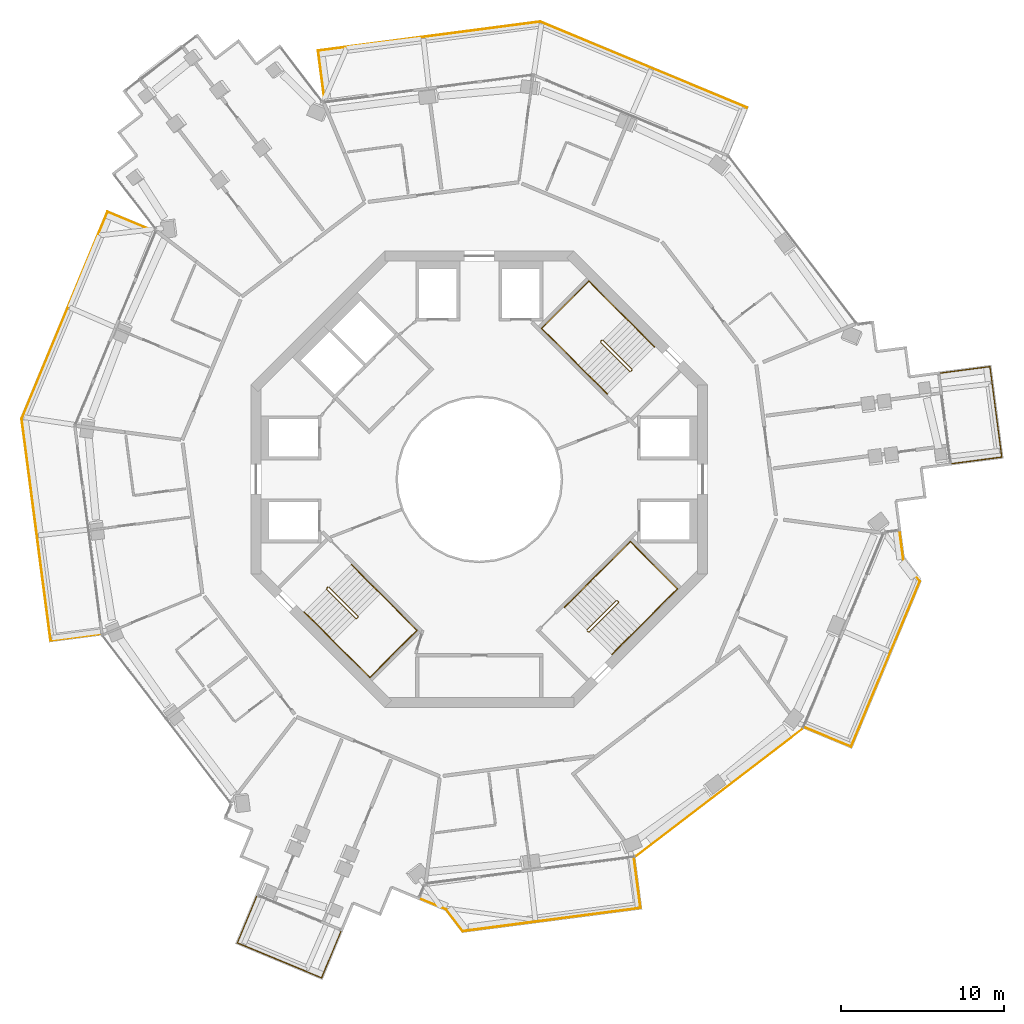
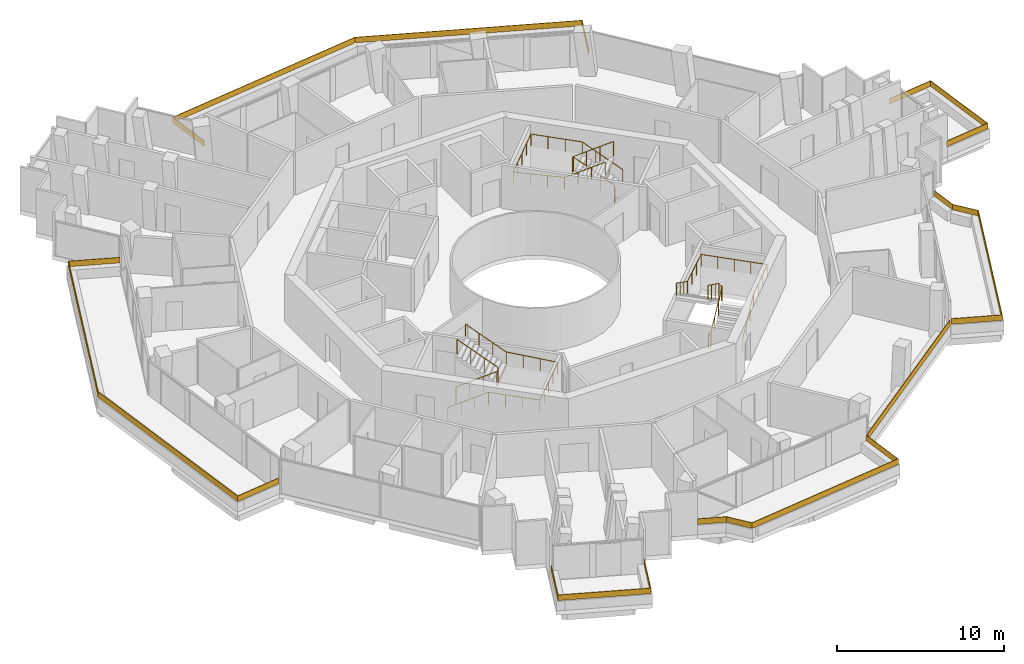
# One storey, part 25 of 25: 13 railings.
"""IFC4 building model written with IfcOpenShell, lengths in metres."""

import ifcopenshell
import ifcopenshell.guid

model = None  # the IFC model being written
_history = None  # IfcOwnerHistory: only IFC2X3 demands one
_inside = {}  # id of a spatial element -> (the spatial element, [elements in it])
_under = {}  # id of a project, library or spatial element -> (it, [spatial elements below it])
_declared = {}  # id of a project -> (the project, [libraries it declares])
_typed = {}  # id of a type object -> (the type object, [elements of that type])
_made_of = {}  # id of a material, layer set ... -> (it, [elements and type objects made of it])


def new_model(schema):
    """Start an empty IFC model of exactly this schema.

    Asked for "IFC4X3", IfcOpenShell would pick the latest addendum, in which some entities
    have other attributes; the version numbers below select the first issue.
    IFC2X3 requires an IfcOwnerHistory on every rooted entity: one is made here for all.
    """
    global model, _history
    if schema == "IFC4X3":
        model = ifcopenshell.file(schema_version=(4, 3, 0, 0))
    else:
        model = ifcopenshell.file(schema=schema)
    _inside.clear()
    _under.clear()
    _declared.clear()
    _typed.clear()
    _made_of.clear()
    _history = None
    if model.schema == "IFC2X3":
        org = make("IfcOrganization", Name="unknown")
        user = make(
            "IfcPersonAndOrganization",
            ThePerson=make("IfcPerson", FamilyName="unknown"),
            TheOrganization=org,
        )
        app = make(
            "IfcApplication",
            ApplicationDeveloper=org,
            Version="unknown",
            ApplicationFullName="unknown",
            ApplicationIdentifier="unknown",
        )
        _history = make(
            "IfcOwnerHistory",
            OwningUser=user,
            OwningApplication=app,
            ChangeAction="ADDED",
            CreationDate=0,
        )
    return model


def make(cls, **values):
    """One entity of the class cls with the attributes given. An attribute that is None is left unset."""
    return model.create_entity(
        cls, **{name: value for name, value in values.items() if value is not None}
    )


def rooted(cls, **values):
    """An entity with a GlobalId (a new one), such as an element, a storey or a relation."""
    return make(cls, GlobalId=ifcopenshell.guid.new(), OwnerHistory=_history, **values)


def si_unit(unit_type, name, prefix=None):
    """IfcSIUnit, for example si_unit("LENGTHUNIT", "METRE", prefix="MILLI")."""
    return make("IfcSIUnit", UnitType=unit_type, Prefix=prefix, Name=name)


def assignment(units):
    """IfcUnitAssignment: the units of a project."""
    return None if units is None else make("IfcUnitAssignment", Units=units)


def point(xyz):
    """IfcCartesianPoint."""
    return None if xyz is None else make("IfcCartesianPoint", Coordinates=xyz)


def direction(xyz):
    """IfcDirection."""
    return None if xyz is None else make("IfcDirection", DirectionRatios=xyz)


def frame(location, z_axis=None, x_axis=None):
    """IfcAxis2Placement3D, a coordinate frame: its origin and axes. An axis left out is left unset."""
    return make(
        "IfcAxis2Placement3D",
        Location=point(location),
        Axis=direction(z_axis),
        RefDirection=direction(x_axis),
    )


def frame_2d(location, x_axis=None):
    """IfcAxis2Placement2D, a coordinate frame in the plane: its origin and x axis."""
    return make(
        "IfcAxis2Placement2D", Location=point(location), RefDirection=direction(x_axis)
    )


def origin():
    """The frame at (0, 0, 0) with its axes left unset."""
    return frame((0.0, 0.0, 0.0))


def origin_2d():
    """The frame at (0, 0) in the plane with its x axis left unset."""
    return frame_2d((0.0, 0.0))


def place(relative_to, where):
    """IfcLocalPlacement: puts the frame where relative to a parent placement (None: the world)."""
    return make(
        "IfcLocalPlacement", PlacementRelTo=relative_to, RelativePlacement=where
    )


def context(
    kind, dimensions, precision=None, world=None, true_north=None, identifier=None
):
    """IfcGeometricRepresentationContext, for example the 3D "Model" context."""
    return make(
        "IfcGeometricRepresentationContext",
        ContextIdentifier=identifier,
        ContextType=kind,
        CoordinateSpaceDimension=dimensions,
        Precision=precision,
        WorldCoordinateSystem=world,
        TrueNorth=true_north,
    )


def subcontext(parent, identifier, kind, view, scale=None):
    """IfcGeometricRepresentationSubContext, for example "Body" below "Model"."""
    return make(
        "IfcGeometricRepresentationSubContext",
        ContextIdentifier=identifier,
        ContextType=kind,
        ParentContext=parent,
        TargetScale=scale,
        TargetView=view,
    )


def project(units=None, contexts=None):
    """IfcProject with its units and contexts."""
    return rooted(
        "IfcProject",
        Name="project",
        RepresentationContexts=contexts,
        UnitsInContext=assignment(units),
    )


def spatial(cls, under=None, at=None, **own):
    """A site, building, storey or space (cls), placed at a placement, below another one or the project."""
    s = rooted(cls, ObjectPlacement=at, **own)
    if under is not None:
        _under.setdefault(under.id(), (under, []))[1].append(s)
    return s


def polyline(points):
    """IfcPolyline through the points."""
    return make("IfcPolyline", Points=[point(p) for p in points])


def profile(cls, at=None, kind="AREA", **sizes):
    """A parametric profile (cls). Its sizes go by their IFC names, for example OverallWidth=200.0."""
    return make(cls, ProfileType=kind, Position=at, **sizes)


def rectangle(**sizes):
    """IfcRectangleProfileDef."""
    return profile("IfcRectangleProfileDef", **sizes)


def circle(**sizes):
    """IfcCircleProfileDef."""
    return profile("IfcCircleProfileDef", **sizes)


def outline(outer, holes=None, kind="AREA"):
    """IfcArbitraryClosedProfileDef: a profile drawn as a closed curve; with holes, ...WithVoids."""
    if holes is None:
        return make("IfcArbitraryClosedProfileDef", ProfileType=kind, OuterCurve=outer)
    return make(
        "IfcArbitraryProfileDefWithVoids",
        ProfileType=kind,
        OuterCurve=outer,
        InnerCurves=holes,
    )


def extrude(swept, where, along, depth):
    """IfcExtrudedAreaSolid: the profile swept, set in the frame where, extruded along a direction by depth."""
    return make(
        "IfcExtrudedAreaSolid",
        SweptArea=swept,
        Position=where,
        ExtrudedDirection=direction(along),
        Depth=depth,
    )


def shape(context_of_items, identifier, shape_type, items):
    """IfcShapeRepresentation: the items that make up one representation, for example the "Body"."""
    return make(
        "IfcShapeRepresentation",
        ContextOfItems=context_of_items,
        RepresentationIdentifier=identifier,
        RepresentationType=shape_type,
        Items=items,
    )


def material(Name=None, Category=None):
    """IfcMaterial."""
    return make("IfcMaterial", Name=Name, Category=Category)


def layer(
    of_material, thickness, ventilated=None, Name=None, Category=None, Priority=None
):
    """IfcMaterialLayer: one layer of a wall or slab, of a material (None: an air gap)."""
    return make(
        "IfcMaterialLayer",
        Material=of_material,
        LayerThickness=thickness,
        IsVentilated=ventilated,
        Name=Name,
        Category=Category,
        Priority=Priority,
    )


def layer_set(layers, Name=None):
    """IfcMaterialLayerSet."""
    return make("IfcMaterialLayerSet", MaterialLayers=layers, LayerSetName=Name)


def made_of(thing, what):
    """Note that an element or type object is made of a material, layer set ...; save() writes the relation."""
    if what is not None:
        _made_of.setdefault(what.id(), (what, []))[1].append(thing)
    return thing


def type_object(cls, material=None, **own):
    """A type object (cls), such as IfcWallType, which elements share."""
    return made_of(rooted(cls, **own), material)


def element(
    cls,
    number,
    at=None,
    inside=None,
    cuts=None,
    type_object=None,
    material=None,
    context=None,
    identifier="Body",
    shape_type=None,
    held_by="IfcProductDefinitionShape",
    body=None,
    shapes=None,
    **own,
):
    """One element of the class cls, such as IfcWall. Its Tag is "e" and its number.

    at: its placement. inside: the storey or other place that contains it. cuts: it is an
    opening in that element (IfcRelVoidsElement). A single representation is given by context,
    identifier, shape_type and body (its items); several are given by shapes. held_by: the class
    of the entity that holds the representations. save() writes the other relations.
    """
    e = rooted(cls, Tag="e%d" % number, ObjectPlacement=at, **own)
    if body is not None:
        shapes = [shape(context, identifier, shape_type, body)]
    if shapes is not None:
        e.Representation = make(held_by, Representations=shapes)
    if inside is not None:
        _inside.setdefault(inside.id(), (inside, []))[1].append(e)
    if cuts is not None:
        rooted(
            "IfcRelVoidsElement", RelatingBuildingElement=cuts, RelatedOpeningElement=e
        )
    if type_object is not None:
        _typed.setdefault(type_object.id(), (type_object, []))[1].append(e)
    return made_of(e, material)


def aggregate(whole, parts):
    """IfcRelAggregates: a whole, such as a stair, and the parts it consists of."""
    return rooted("IfcRelAggregates", RelatingObject=whole, RelatedObjects=parts)


def save(model, path):
    """Write the relations noted so far, then the file.

    IfcRelAggregates (storeys below a building ...), IfcRelContainedInSpatialStructure (elements
    in a storey), IfcRelDefinesByType, IfcRelAssociatesMaterial and IfcRelDeclares: one each for
    every whole, place, type object, material and project.
    """
    for whole, parts in _under.values():
        aggregate(whole, parts)
    for where, things in _inside.values():
        rooted(
            "IfcRelContainedInSpatialStructure",
            RelatedElements=things,
            RelatingStructure=where,
        )
    for kind, things in _typed.values():
        rooted("IfcRelDefinesByType", RelatedObjects=things, RelatingType=kind)
    for what, things in _made_of.values():
        rooted("IfcRelAssociatesMaterial", RelatedObjects=things, RelatingMaterial=what)
    for by, libraries in _declared.values():
        rooted("IfcRelDeclares", RelatingContext=by, RelatedDefinitions=libraries)
    model.write(path)


model = new_model("IFC4")

# Units and contexts
model_context = context("Model", 3, precision=1e-05, world=origin(), true_north=direction((0.0, 1.0)))
body_context = subcontext(model_context, "Body", "Model", "MODEL_VIEW")
ifc_project = project(units=[si_unit("LENGTHUNIT", "METRE"), si_unit("AREAUNIT", "SQUARE_METRE"), si_unit("VOLUMEUNIT", "CUBIC_METRE"), si_unit("PLANEANGLEUNIT", "RADIAN"), si_unit("MASSUNIT", "GRAM", prefix="KILO")], contexts=[model_context])

# Site, building, storey
site_placement = place(None, origin())
site = spatial("IfcSite", under=ifc_project, at=site_placement, CompositionType="ELEMENT")
building_placement = place(site_placement, origin())
building = spatial("IfcBuilding", under=site, at=building_placement, Name="Verdalira Terraces Hotel", CompositionType="ELEMENT")
storey_placement = place(building_placement, frame((0.0, 0.0, 187.0)))
storey = spatial("IfcBuildingStorey", under=building, at=storey_placement, Name="L45", CompositionType="ELEMENT", Elevation=187.0)

# Railings
ifc_material_1 = material(Name="Laminated glass", Category="glass")
ifc_layer = layer(ifc_material_1, 0.0400390625)
ifc_layer_set = layer_set([ifc_layer], Name="Balcony glass guard 400")
railing_type_1 = type_object("IfcRailingType", Name="Balcony glass guard 400", PredefinedType="GUARDRAIL", material=ifc_layer_set)
railing_1_placement = place(storey_placement, frame((0.0, 0.0, 0.699951)))
element("IfcRailing", 1, at=railing_1_placement, inside=storey, type_object=railing_type_1, Name="Balcony glass guard", PredefinedType="GUARDRAIL", context=body_context, shape_type="SweptSolid", body=[
    extrude(outline(polyline([(-22.798584, 16.380127), (-28.056641, 3.723633), (-26.281982, -9.866211), (-23.229004, -9.467529), (-23.223877, -9.507324), (-26.316406, -9.911133), (-28.097656, 3.729004), (-22.820312, 16.432373), (-19.939941, 15.23584), (-19.955322, 15.198975), (-22.798584, 16.380127)])), origin(), (0.0, 0.0, 1.0), 0.400146),
])
railing_2_placement = place(storey_placement, frame((0.0, 0.0, 0.699951)))
element("IfcRailing", 2, at=railing_2_placement, inside=storey, type_object=railing_type_1, Name="Balcony glass guard", PredefinedType="GUARDRAIL", context=body_context, shape_type="SweptSolid", body=[
    extrude(outline(polyline([(-14.820312, -28.427734), (-9.685791, -30.560791), (-8.504639, -27.717529), (-8.467773, -27.73291), (-9.664307, -30.613281), (-14.872803, -28.449463), (-13.676025, -25.569092), (-13.63916, -25.584473), (-14.820312, -28.427734)])), origin(), (0.0, 0.0, 1.0), 0.400146),
])
railing_3_placement = place(storey_placement, frame((0.0, 0.0, 0.699951)))
element("IfcRailing", 3, at=railing_3_placement, inside=storey, type_object=railing_type_1, Name="Balcony glass guard", PredefinedType="GUARDRAIL", context=body_context, shape_type="SweptSolid", body=[
    extrude(outline(polyline([(-2.012451, -26.385254), (-1.004639, -27.70166), (9.866211, -26.281982), (9.467529, -23.229004), (9.507324, -23.223877), (9.911133, -26.316406), (-1.022461, -27.744385), (-2.037842, -26.418213), (-3.65625, -25.74585), (-3.640869, -25.70874), (-2.012451, -26.385254)])), origin(), (0.0, 0.0, 1.0), 0.400146),
])
railing_4_placement = place(storey_placement, frame((0.0, 0.0, 0.699951)))
element("IfcRailing", 4, at=railing_4_placement, inside=storey, type_object=railing_type_1, Name="Balcony glass guard", PredefinedType="GUARDRAIL", context=body_context, shape_type="SweptSolid", body=[
    extrude(outline(polyline([(22.798584, -16.380127), (27.004639, -6.255859), (25.996826, -4.939453), (25.768555, -3.191162), (25.808105, -3.186035), (26.035156, -4.923828), (27.050537, -6.25), (22.820312, -16.432373), (19.939941, -15.23584), (19.955322, -15.198975), (22.798584, -16.380127)])), origin(), (0.0, 0.0, 1.0), 0.400146),
])
railing_5_placement = place(storey_placement, frame((0.0, 0.0, 0.699951)))
element("IfcRailing", 5, at=railing_5_placement, inside=storey, type_object=railing_type_1, Name="Balcony glass guard", PredefinedType="GUARDRAIL", context=body_context, shape_type="SweptSolid", body=[
    extrude(outline(polyline([(32.029297, 1.37915), (31.30957, 6.892334), (28.256348, 6.493408), (28.251221, 6.533203), (31.343994, 6.937012), (32.074219, 1.344482), (28.981445, 0.940674), (28.976318, 0.980225), (32.029297, 1.37915)])), origin(), (0.0, 0.0, 1.0), 0.400146),
])
railing_6_placement = place(storey_placement, frame((0.0, 0.0, 0.699951)))
element("IfcRailing", 6, at=railing_6_placement, inside=storey, type_object=railing_type_1, Name="Balcony glass guard", PredefinedType="GUARDRAIL", context=body_context, shape_type="SweptSolid", body=[
    extrude(outline(polyline([(16.380127, 22.798584), (3.723633, 28.056641), (-9.866211, 26.281982), (-9.467529, 23.229004), (-9.507324, 23.223877), (-9.911133, 26.316406), (3.729004, 28.097656), (16.432373, 22.820312), (15.23584, 19.939941), (15.198975, 19.955322), (16.380127, 22.798584)])), origin(), (0.0, 0.0, 1.0), 0.400146),
])
railing_7_placement = place(storey_placement, frame((14.717041, -19.221191, 0.699951), z_axis=(0.0, 0.0, 1.0), x_axis=(0.793990399, 0.607930298, 0.0)))
element("IfcRailing", 7, at=railing_7_placement, inside=storey, type_object=railing_type_1, Name="Loggia glass guard", PredefinedType="GUARDRAIL", context=body_context, shape_type="SweptSolid", body=[
    extrude(rectangle(XDim=12.840088, YDim=0.040039, at=origin_2d()), origin(), (0.0, 0.0, 1.0), 0.399902),
])
ifc_material_2 = material(Name="Stainless steel", Category="steel")
railing_type_2 = type_object("IfcRailingType", Name="Stair guard 1100", PredefinedType="GUARDRAIL", material=ifc_material_2)
railing_8_placement = place(storey_placement, frame((9.369141, 6.682129, 0.0)))
element("IfcRailing", 8, at=railing_8_placement, inside=storey, type_object=railing_type_2, Name="L45 ST1 stair guard 1", PredefinedType="GUARDRAIL", context=body_context, shape_type="SweptSolid", body=[
    extrude(circle(Radius=0.023926, at=origin_2d()), frame((0.0, 0.0, 1.076172), z_axis=(-0.707106781, -0.707106781, 0.0), x_axis=(0.707106781, -0.707106781, 0.0)), (0.0, 0.0, 1.0), 0.100098),
    extrude(circle(Radius=0.023926, at=origin_2d()), frame((-0.070801, -0.070801, 1.076172), z_axis=(0.299976798, 0.599953596, 0.741666773), x_axis=(-0.894427191, 0.447213596, 0.0)), (0.0, 0.0, 1.0), 0.236084),
    extrude(circle(Radius=0.023926, at=origin_2d()), frame((0.0, 0.070801, 1.250977), z_axis=(-0.599667044, 0.599584886, 0.529997548), x_axis=(-0.707058338, -0.707155221, 0.0)), (0.0, 0.0, 1.0), 2.97168),
    extrude(circle(Radius=0.023926, at=origin_2d()), frame((-1.781982, 1.852539, 2.826172), z_axis=(-1.0, 0.0, 0.0), x_axis=(0.0, -1.0, 0.0)), (0.0, 0.0, 1.0), 0.070557),
    extrude(circle(Radius=0.023926, at=origin_2d()), frame((-1.852539, 1.852539, 2.826172), z_axis=(-0.70832698, -0.705884473, 0.0), x_axis=(0.705884473, -0.70832698, 0.0)), (0.0, 0.0, 1.0), 0.099854),
    extrude(circle(Radius=0.023926, at=origin_2d()), frame((-1.92334, 1.781982, 2.826172), z_axis=(0.0, -0.374954687, 0.92704314), x_axis=(1.0, 0.0, 0.0)), (0.0, 0.0, 1.0), 0.188721),
    extrude(circle(Radius=0.023926, at=origin_2d()), frame((-1.92334, 1.711182, 3.000977), z_axis=(0.599637504, -0.599637504, 0.52997144), x_axis=(0.707106781, 0.707106781, 0.0)), (0.0, 0.0, 1.0), 2.97168),
    extrude(circle(Radius=0.020996, at=origin_2d()), origin(), (0.0, 0.0, 1.0), 1.052002),
    extrude(circle(Radius=0.020996, at=origin_2d()), frame((-0.070801, -0.070801, 0.0)), (0.0, 0.0, 1.0), 1.052002),
    extrude(circle(Radius=0.020996, at=origin_2d()), frame((0.0, 0.070801, 0.175049)), (0.0, 0.0, 1.0), 1.052002),
    extrude(circle(Radius=0.020996, at=origin_2d()), frame((-0.593994, 0.664795, 0.699951)), (0.0, 0.0, 1.0), 1.052002),
    extrude(circle(Radius=0.020996, at=origin_2d()), frame((-1.187988, 1.258545, 1.225098)), (0.0, 0.0, 1.0), 1.052002),
    extrude(circle(Radius=0.020996, at=origin_2d()), frame((-1.781982, 1.852539, 1.75)), (0.0, 0.0, 1.0), 1.052002),
    extrude(circle(Radius=0.020996, at=origin_2d()), frame((-1.852539, 1.852539, 1.75)), (0.0, 0.0, 1.0), 1.052002),
    extrude(circle(Radius=0.020996, at=origin_2d()), frame((-1.92334, 1.781982, 1.75)), (0.0, 0.0, 1.0), 1.052002),
    extrude(circle(Radius=0.020996, at=origin_2d()), frame((-1.92334, 1.711182, 1.925049)), (0.0, 0.0, 1.0), 1.052002),
    extrude(circle(Radius=0.020996, at=origin_2d()), frame((-1.329346, 1.117188, 2.449951)), (0.0, 0.0, 1.0), 1.052002),
    extrude(circle(Radius=0.020996, at=origin_2d()), frame((-0.735352, 0.523193, 2.975098)), (0.0, 0.0, 1.0), 1.052002),
    extrude(circle(Radius=0.020996, at=origin_2d()), frame((-0.141357, -0.070801, 3.5)), (0.0, 0.0, 1.0), 1.052002),
])
railing_9_placement = place(storey_placement, frame((-9.369141, -6.682129, 0.0)))
element("IfcRailing", 9, at=railing_9_placement, inside=storey, type_object=railing_type_2, Name="L45 ST2 stair guard 1", PredefinedType="GUARDRAIL", context=body_context, shape_type="SweptSolid", body=[
    extrude(circle(Radius=0.023926, at=origin_2d()), frame((0.0, 0.0, 1.076172), z_axis=(0.707106781, 0.707106781, 0.0), x_axis=(-0.707106781, 0.707106781, 0.0)), (0.0, 0.0, 1.0), 0.100098),
    extrude(circle(Radius=0.023926, at=origin_2d()), frame((0.070801, 0.070801, 1.076172), z_axis=(-0.299976798, -0.599953596, 0.741666773), x_axis=(0.894427191, -0.447213596, 0.0)), (0.0, 0.0, 1.0), 0.236084),
    extrude(circle(Radius=0.023926, at=origin_2d()), frame((0.0, -0.070801, 1.250977), z_axis=(0.599667044, -0.599584886, 0.529997548), x_axis=(0.707058338, 0.707155221, 0.0)), (0.0, 0.0, 1.0), 2.97168),
    extrude(circle(Radius=0.023926, at=origin_2d()), frame((1.781982, -1.852539, 2.826172), z_axis=(1.0, 0.0, 0.0), x_axis=(0.0, 1.0, 0.0)), (0.0, 0.0, 1.0), 0.070557),
    extrude(circle(Radius=0.023926, at=origin_2d()), frame((1.852539, -1.852539, 2.826172), z_axis=(0.70832698, 0.705884473, 0.0), x_axis=(-0.705884473, 0.70832698, 0.0)), (0.0, 0.0, 1.0), 0.099854),
    extrude(circle(Radius=0.023926, at=origin_2d()), frame((1.92334, -1.781982, 2.826172), z_axis=(0.0, 0.374954687, 0.92704314), x_axis=(-1.0, 0.0, 0.0)), (0.0, 0.0, 1.0), 0.188721),
    extrude(circle(Radius=0.023926, at=origin_2d()), frame((1.92334, -1.711182, 3.000977), z_axis=(-0.599637504, 0.599637504, 0.52997144), x_axis=(-0.707106781, -0.707106781, 0.0)), (0.0, 0.0, 1.0), 2.97168),
    extrude(circle(Radius=0.020996, at=origin_2d()), origin(), (0.0, 0.0, 1.0), 1.052002),
    extrude(circle(Radius=0.020996, at=origin_2d()), frame((0.070801, 0.070801, 0.0)), (0.0, 0.0, 1.0), 1.052002),
    extrude(circle(Radius=0.020996, at=origin_2d()), frame((0.0, -0.070801, 0.175049)), (0.0, 0.0, 1.0), 1.052002),
    extrude(circle(Radius=0.020996, at=origin_2d()), frame((0.593994, -0.664795, 0.699951)), (0.0, 0.0, 1.0), 1.052002),
    extrude(circle(Radius=0.020996, at=origin_2d()), frame((1.187988, -1.258545, 1.225098)), (0.0, 0.0, 1.0), 1.052002),
    extrude(circle(Radius=0.020996, at=origin_2d()), frame((1.781982, -1.852539, 1.75)), (0.0, 0.0, 1.0), 1.052002),
    extrude(circle(Radius=0.020996, at=origin_2d()), frame((1.852539, -1.852539, 1.75)), (0.0, 0.0, 1.0), 1.052002),
    extrude(circle(Radius=0.020996, at=origin_2d()), frame((1.92334, -1.781982, 1.75)), (0.0, 0.0, 1.0), 1.052002),
    extrude(circle(Radius=0.020996, at=origin_2d()), frame((1.92334, -1.711182, 1.925049)), (0.0, 0.0, 1.0), 1.052002),
    extrude(circle(Radius=0.020996, at=origin_2d()), frame((1.329346, -1.117188, 2.449951)), (0.0, 0.0, 1.0), 1.052002),
    extrude(circle(Radius=0.020996, at=origin_2d()), frame((0.735352, -0.523193, 2.975098)), (0.0, 0.0, 1.0), 1.052002),
    extrude(circle(Radius=0.020996, at=origin_2d()), frame((0.141357, 0.070801, 3.5)), (0.0, 0.0, 1.0), 1.052002),
])
railing_10_placement = place(storey_placement, frame((6.682129, -9.369141, 0.0)))
element("IfcRailing", 10, at=railing_10_placement, inside=storey, type_object=railing_type_2, Name="L45 ST3 stair guard 1", PredefinedType="GUARDRAIL", context=body_context, shape_type="SweptSolid", body=[
    extrude(circle(Radius=0.023926, at=origin_2d()), frame((0.0, 0.0, 1.076172), z_axis=(-0.707106781, 0.707106781, 0.0), x_axis=(-0.707106781, -0.707106781, 0.0)), (0.0, 0.0, 1.0), 0.100098),
    extrude(circle(Radius=0.023926, at=origin_2d()), frame((-0.070801, 0.070801, 1.076172), z_axis=(0.599953596, -0.299976798, 0.741666773), x_axis=(0.447213596, 0.894427191, 0.0)), (0.0, 0.0, 1.0), 0.236084),
    extrude(circle(Radius=0.023926, at=origin_2d()), frame((0.070801, 0.0, 1.250977), z_axis=(0.599584886, 0.599667044, 0.529997548), x_axis=(-0.707155221, 0.707058338, 0.0)), (0.0, 0.0, 1.0), 2.97168),
    extrude(circle(Radius=0.023926, at=origin_2d()), frame((1.852539, 1.781982, 2.826172), z_axis=(0.0, 1.0, 0.0), x_axis=(-1.0, 0.0, 0.0)), (0.0, 0.0, 1.0), 0.070557),
    extrude(circle(Radius=0.023926, at=origin_2d()), frame((1.852539, 1.852539, 2.826172), z_axis=(-0.705884473, 0.70832698, 0.0), x_axis=(-0.70832698, -0.705884473, 0.0)), (0.0, 0.0, 1.0), 0.099854),
    extrude(circle(Radius=0.023926, at=origin_2d()), frame((1.781982, 1.92334, 2.826172), z_axis=(-0.374954687, 0.0, 0.92704314), x_axis=(0.0, -1.0, 0.0)), (0.0, 0.0, 1.0), 0.188721),
    extrude(circle(Radius=0.023926, at=origin_2d()), frame((1.711182, 1.92334, 3.000977), z_axis=(-0.599637504, -0.599637504, 0.52997144), x_axis=(0.707106781, -0.707106781, 0.0)), (0.0, 0.0, 1.0), 2.97168),
    extrude(circle(Radius=0.020996, at=origin_2d()), origin(), (0.0, 0.0, 1.0), 1.052002),
    extrude(circle(Radius=0.020996, at=origin_2d()), frame((-0.070801, 0.070801, 0.0)), (0.0, 0.0, 1.0), 1.052002),
    extrude(circle(Radius=0.020996, at=origin_2d()), frame((0.070801, 0.0, 0.175049)), (0.0, 0.0, 1.0), 1.052002),
    extrude(circle(Radius=0.020996, at=origin_2d()), frame((0.664795, 0.593994, 0.699951)), (0.0, 0.0, 1.0), 1.052002),
    extrude(circle(Radius=0.020996, at=origin_2d()), frame((1.258545, 1.187988, 1.225098)), (0.0, 0.0, 1.0), 1.052002),
    extrude(circle(Radius=0.020996, at=origin_2d()), frame((1.852539, 1.781982, 1.75)), (0.0, 0.0, 1.0), 1.052002),
    extrude(circle(Radius=0.020996, at=origin_2d()), frame((1.852539, 1.852539, 1.75)), (0.0, 0.0, 1.0), 1.052002),
    extrude(circle(Radius=0.020996, at=origin_2d()), frame((1.781982, 1.92334, 1.75)), (0.0, 0.0, 1.0), 1.052002),
    extrude(circle(Radius=0.020996, at=origin_2d()), frame((1.711182, 1.92334, 1.925049)), (0.0, 0.0, 1.0), 1.052002),
    extrude(circle(Radius=0.020996, at=origin_2d()), frame((1.117188, 1.329346, 2.449951)), (0.0, 0.0, 1.0), 1.052002),
    extrude(circle(Radius=0.020996, at=origin_2d()), frame((0.523193, 0.735352, 2.975098)), (0.0, 0.0, 1.0), 1.052002),
    extrude(circle(Radius=0.020996, at=origin_2d()), frame((-0.070801, 0.141357, 3.5)), (0.0, 0.0, 1.0), 1.052002),
])
ifc_material_3 = material(Name="Stainless steel", Category="steel")
railing_type_3 = type_object("IfcRailingType", Name="Stair handrail 900", PredefinedType="HANDRAIL", material=ifc_material_3)
railing_11_placement = place(storey_placement, frame((10.748047, 8.131836, 0.175049)))
element("IfcRailing", 11, at=railing_11_placement, inside=storey, type_object=railing_type_3, Name="L45 ST1 stair handrail 1", PredefinedType="HANDRAIL", context=body_context, shape_type="SweptSolid", body=[
    extrude(circle(Radius=0.023926, at=origin_2d()), frame((0.0, 0.0, 0.875977), z_axis=(-0.599667044, 0.599584886, 0.529997548), x_axis=(-0.707058338, -0.707155221, 0.0)), (0.0, 0.0, 1.0), 2.97168),
    extrude(circle(Radius=0.023926, at=origin_2d()), frame((-1.781982, 1.781738, 2.450684), z_axis=(-0.707068394, 0.707145166, 0.0), x_axis=(-0.707145166, -0.707068394, 0.0)), (0.0, 0.0, 1.0), 3.180176),
    extrude(circle(Radius=0.023926, at=origin_2d()), frame((-4.030518, 4.030518, 2.450684), z_axis=(-0.707106781, -0.707106781, 0.0), x_axis=(0.707106781, -0.707106781, 0.0)), (0.0, 0.0, 1.0), 4.100098),
    extrude(circle(Radius=0.023926, at=origin_2d()), frame((-6.929688, 1.131348, 2.450684), z_axis=(0.705999616, -0.706076271, 0.054962185), x_axis=(0.707145166, 0.707068394, 0.0)), (0.0, 0.0, 1.0), 3.184814),
    extrude(circle(Radius=0.023926, at=origin_2d()), frame((-4.681152, -1.117432, 2.625977), z_axis=(0.599667044, -0.599584886, 0.529997548), x_axis=(0.707058338, 0.707155221, 0.0)), (0.0, 0.0, 1.0), 2.97168),
    extrude(circle(Radius=0.020996, at=origin_2d()), origin(), (0.0, 0.0, 1.0), 0.851807),
    extrude(circle(Radius=0.020996, at=origin_2d()), frame((-0.593994, 0.593994, 0.524902)), (0.0, 0.0, 1.0), 0.851807),
    extrude(circle(Radius=0.020996, at=origin_2d()), frame((-1.187988, 1.187744, 1.050049)), (0.0, 0.0, 1.0), 0.851807),
    extrude(circle(Radius=0.020996, at=origin_2d()), frame((-1.781982, 1.781738, 1.574951)), (0.0, 0.0, 1.0), 0.851807),
    extrude(circle(Radius=0.020996, at=origin_2d()), frame((-2.531494, 2.53125, 1.574951)), (0.0, 0.0, 1.0), 0.851807),
    extrude(circle(Radius=0.020996, at=origin_2d()), frame((-3.281006, 3.281006, 1.574951)), (0.0, 0.0, 1.0), 0.851807),
    extrude(circle(Radius=0.020996, at=origin_2d()), frame((-4.030518, 4.030518, 1.574951)), (0.0, 0.0, 1.0), 0.851807),
    extrude(circle(Radius=0.020996, at=origin_2d()), frame((-4.755371, 3.305664, 1.574951)), (0.0, 0.0, 1.0), 0.851807),
    extrude(circle(Radius=0.020996, at=origin_2d()), frame((-5.47998, 2.581055, 1.574951)), (0.0, 0.0, 1.0), 0.851807),
    extrude(circle(Radius=0.020996, at=origin_2d()), frame((-6.204834, 1.856201, 1.574951)), (0.0, 0.0, 1.0), 0.851807),
    extrude(circle(Radius=0.020996, at=origin_2d()), frame((-6.929688, 1.131348, 1.574951)), (0.0, 0.0, 1.0), 0.851807),
    extrude(circle(Radius=0.020996, at=origin_2d()), frame((-6.180176, 0.381836, 1.633301)), (0.0, 0.0, 1.0), 0.851807),
    extrude(circle(Radius=0.020996, at=origin_2d()), frame((-5.430664, -0.36792, 1.69165)), (0.0, 0.0, 1.0), 0.851807),
    extrude(circle(Radius=0.020996, at=origin_2d()), frame((-4.681152, -1.117432, 1.75)), (0.0, 0.0, 1.0), 0.851807),
    extrude(circle(Radius=0.020996, at=origin_2d()), frame((-4.087158, -1.711426, 2.274902)), (0.0, 0.0, 1.0), 0.851807),
    extrude(circle(Radius=0.020996, at=origin_2d()), frame((-3.493164, -2.305176, 2.800049)), (0.0, 0.0, 1.0), 0.851807),
    extrude(circle(Radius=0.020996, at=origin_2d()), frame((-2.89917, -2.89917, 3.324951)), (0.0, 0.0, 1.0), 0.851807),
])
railing_12_placement = place(storey_placement, frame((-10.748047, -8.131836, 0.175049)))
element("IfcRailing", 12, at=railing_12_placement, inside=storey, type_object=railing_type_3, Name="L45 ST2 stair handrail 1", PredefinedType="HANDRAIL", context=body_context, shape_type="SweptSolid", body=[
    extrude(circle(Radius=0.023926, at=origin_2d()), frame((0.0, 0.0, 0.875977), z_axis=(0.599667044, -0.599584886, 0.529997548), x_axis=(0.707058338, 0.707155221, 0.0)), (0.0, 0.0, 1.0), 2.97168),
    extrude(circle(Radius=0.023926, at=origin_2d()), frame((1.781982, -1.781738, 2.450684), z_axis=(0.707068394, -0.707145166, 0.0), x_axis=(0.707145166, 0.707068394, 0.0)), (0.0, 0.0, 1.0), 3.180176),
    extrude(circle(Radius=0.023926, at=origin_2d()), frame((4.030518, -4.030518, 2.450684), z_axis=(0.707106781, 0.707106781, 0.0), x_axis=(-0.707106781, 0.707106781, 0.0)), (0.0, 0.0, 1.0), 4.100098),
    extrude(circle(Radius=0.023926, at=origin_2d()), frame((6.929688, -1.131348, 2.450684), z_axis=(-0.705999616, 0.706076271, 0.054962185), x_axis=(-0.707145166, -0.707068394, 0.0)), (0.0, 0.0, 1.0), 3.184814),
    extrude(circle(Radius=0.023926, at=origin_2d()), frame((4.681152, 1.117432, 2.625977), z_axis=(-0.599667044, 0.599584886, 0.529997548), x_axis=(-0.707058338, -0.707155221, 0.0)), (0.0, 0.0, 1.0), 2.97168),
    extrude(circle(Radius=0.020996, at=origin_2d()), origin(), (0.0, 0.0, 1.0), 0.851807),
    extrude(circle(Radius=0.020996, at=origin_2d()), frame((0.593994, -0.593994, 0.524902)), (0.0, 0.0, 1.0), 0.851807),
    extrude(circle(Radius=0.020996, at=origin_2d()), frame((1.187988, -1.187744, 1.050049)), (0.0, 0.0, 1.0), 0.851807),
    extrude(circle(Radius=0.020996, at=origin_2d()), frame((1.781982, -1.781738, 1.574951)), (0.0, 0.0, 1.0), 0.851807),
    extrude(circle(Radius=0.020996, at=origin_2d()), frame((2.531494, -2.53125, 1.574951)), (0.0, 0.0, 1.0), 0.851807),
    extrude(circle(Radius=0.020996, at=origin_2d()), frame((3.281006, -3.281006, 1.574951)), (0.0, 0.0, 1.0), 0.851807),
    extrude(circle(Radius=0.020996, at=origin_2d()), frame((4.030518, -4.030518, 1.574951)), (0.0, 0.0, 1.0), 0.851807),
    extrude(circle(Radius=0.020996, at=origin_2d()), frame((4.755371, -3.305664, 1.574951)), (0.0, 0.0, 1.0), 0.851807),
    extrude(circle(Radius=0.020996, at=origin_2d()), frame((5.47998, -2.581055, 1.574951)), (0.0, 0.0, 1.0), 0.851807),
    extrude(circle(Radius=0.020996, at=origin_2d()), frame((6.204834, -1.856201, 1.574951)), (0.0, 0.0, 1.0), 0.851807),
    extrude(circle(Radius=0.020996, at=origin_2d()), frame((6.929688, -1.131348, 1.574951)), (0.0, 0.0, 1.0), 0.851807),
    extrude(circle(Radius=0.020996, at=origin_2d()), frame((6.180176, -0.381836, 1.633301)), (0.0, 0.0, 1.0), 0.851807),
    extrude(circle(Radius=0.020996, at=origin_2d()), frame((5.430664, 0.36792, 1.69165)), (0.0, 0.0, 1.0), 0.851807),
    extrude(circle(Radius=0.020996, at=origin_2d()), frame((4.681152, 1.117432, 1.75)), (0.0, 0.0, 1.0), 0.851807),
    extrude(circle(Radius=0.020996, at=origin_2d()), frame((4.087158, 1.711426, 2.274902)), (0.0, 0.0, 1.0), 0.851807),
    extrude(circle(Radius=0.020996, at=origin_2d()), frame((3.493164, 2.305176, 2.800049)), (0.0, 0.0, 1.0), 0.851807),
    extrude(circle(Radius=0.020996, at=origin_2d()), frame((2.89917, 2.89917, 3.324951)), (0.0, 0.0, 1.0), 0.851807),
])
railing_13_placement = place(storey_placement, frame((8.131836, -10.748047, 0.175049)))
element("IfcRailing", 13, at=railing_13_placement, inside=storey, type_object=railing_type_3, Name="L45 ST3 stair handrail 1", PredefinedType="HANDRAIL", context=body_context, shape_type="SweptSolid", body=[
    extrude(circle(Radius=0.023926, at=origin_2d()), frame((0.0, 0.0, 0.875977), z_axis=(0.599584886, 0.599667044, 0.529997548), x_axis=(-0.707155221, 0.707058338, 0.0)), (0.0, 0.0, 1.0), 2.97168),
    extrude(circle(Radius=0.023926, at=origin_2d()), frame((1.781738, 1.781982, 2.450684), z_axis=(0.707145166, 0.707068394, 0.0), x_axis=(-0.707068394, 0.707145166, 0.0)), (0.0, 0.0, 1.0), 3.180176),
    extrude(circle(Radius=0.023926, at=origin_2d()), frame((4.030518, 4.030518, 2.450684), z_axis=(-0.707106781, 0.707106781, 0.0), x_axis=(-0.707106781, -0.707106781, 0.0)), (0.0, 0.0, 1.0), 4.100098),
    extrude(circle(Radius=0.023926, at=origin_2d()), frame((1.131348, 6.929688, 2.450684), z_axis=(-0.706076271, -0.705999616, 0.054962185), x_axis=(0.707068394, -0.707145166, 0.0)), (0.0, 0.0, 1.0), 3.184814),
    extrude(circle(Radius=0.023926, at=origin_2d()), frame((-1.117432, 4.681152, 2.625977), z_axis=(-0.599584886, -0.599667044, 0.529997548), x_axis=(0.707155221, -0.707058338, 0.0)), (0.0, 0.0, 1.0), 2.97168),
    extrude(circle(Radius=0.020996, at=origin_2d()), origin(), (0.0, 0.0, 1.0), 0.851807),
    extrude(circle(Radius=0.020996, at=origin_2d()), frame((0.593994, 0.593994, 0.524902)), (0.0, 0.0, 1.0), 0.851807),
    extrude(circle(Radius=0.020996, at=origin_2d()), frame((1.187744, 1.187988, 1.050049)), (0.0, 0.0, 1.0), 0.851807),
    extrude(circle(Radius=0.020996, at=origin_2d()), frame((1.781738, 1.781982, 1.574951)), (0.0, 0.0, 1.0), 0.851807),
    extrude(circle(Radius=0.020996, at=origin_2d()), frame((2.53125, 2.531494, 1.574951)), (0.0, 0.0, 1.0), 0.851807),
    extrude(circle(Radius=0.020996, at=origin_2d()), frame((3.281006, 3.281006, 1.574951)), (0.0, 0.0, 1.0), 0.851807),
    extrude(circle(Radius=0.020996, at=origin_2d()), frame((4.030518, 4.030518, 1.574951)), (0.0, 0.0, 1.0), 0.851807),
    extrude(circle(Radius=0.020996, at=origin_2d()), frame((3.305664, 4.755371, 1.574951)), (0.0, 0.0, 1.0), 0.851807),
    extrude(circle(Radius=0.020996, at=origin_2d()), frame((2.581055, 5.47998, 1.574951)), (0.0, 0.0, 1.0), 0.851807),
    extrude(circle(Radius=0.020996, at=origin_2d()), frame((1.856201, 6.204834, 1.574951)), (0.0, 0.0, 1.0), 0.851807),
    extrude(circle(Radius=0.020996, at=origin_2d()), frame((1.131348, 6.929688, 1.574951)), (0.0, 0.0, 1.0), 0.851807),
    extrude(circle(Radius=0.020996, at=origin_2d()), frame((0.381836, 6.180176, 1.633301)), (0.0, 0.0, 1.0), 0.851807),
    extrude(circle(Radius=0.020996, at=origin_2d()), frame((-0.36792, 5.430664, 1.69165)), (0.0, 0.0, 1.0), 0.851807),
    extrude(circle(Radius=0.020996, at=origin_2d()), frame((-1.117432, 4.681152, 1.75)), (0.0, 0.0, 1.0), 0.851807),
    extrude(circle(Radius=0.020996, at=origin_2d()), frame((-1.711426, 4.087158, 2.274902)), (0.0, 0.0, 1.0), 0.851807),
    extrude(circle(Radius=0.020996, at=origin_2d()), frame((-2.305176, 3.493164, 2.800049)), (0.0, 0.0, 1.0), 0.851807),
    extrude(circle(Radius=0.020996, at=origin_2d()), frame((-2.89917, 2.89917, 3.324951)), (0.0, 0.0, 1.0), 0.851807),
])

save(model, "model.ifc")
